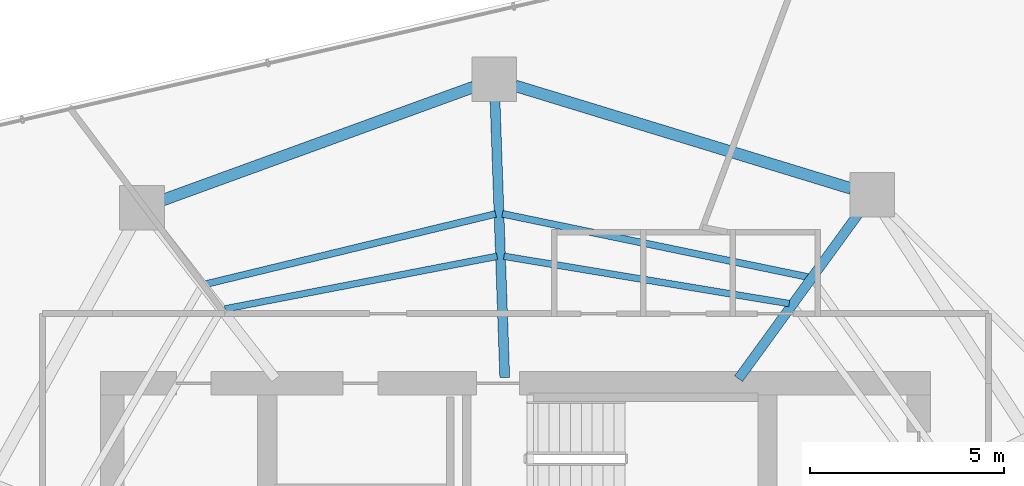
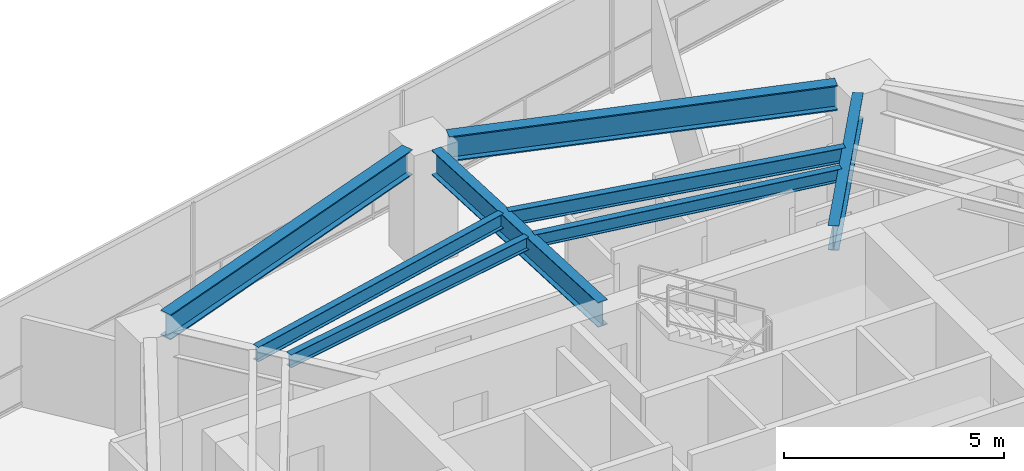
# One storey, part 12 of 23: 8 beams.
"""IFC4 building model written with IfcOpenShell, lengths in metres."""

from ifc_helpers import new_model, si_unit, direction, frame, origin, origin_2d, place, context, subcontext, project, spatial, i_section, extrude, material, material_profile, profile_set, type_object, element, save


model = new_model("IFC4")

# Units and contexts
model_context = context("Model", 3, precision=1e-05, world=origin(), true_north=direction((0.0, 1.0)))
body_context = subcontext(model_context, "Body", "Model", "MODEL_VIEW")
ifc_project = project(units=[si_unit("LENGTHUNIT", "METRE"), si_unit("AREAUNIT", "SQUARE_METRE"), si_unit("VOLUMEUNIT", "CUBIC_METRE"), si_unit("PLANEANGLEUNIT", "RADIAN"), si_unit("MASSUNIT", "GRAM", prefix="KILO")], contexts=[model_context])

# Site, building, storey
site_placement = place(None, origin())
site = spatial("IfcSite", under=ifc_project, at=site_placement, CompositionType="ELEMENT")
building_placement = place(site_placement, origin())
building = spatial("IfcBuilding", under=site, at=building_placement, Name="Qarnah Convention Tower", CompositionType="ELEMENT")
storey_placement = place(building_placement, frame((0.0, 0.0, 114.300048828125)))
storey = spatial("IfcBuildingStorey", under=building, at=storey_placement, Name="L30", CompositionType="ELEMENT", Elevation=114.300048828125)

# Beams
ifc_material = material(Name="Structural steel S355JR", Category="steel")
ifc_material_profile_1 = material_profile(ifc_material, i_section(OverallWidth=0.172119140625, OverallDepth=0.35595703125, WebThickness=0.007080078125, FlangeThickness=0.011962890625, at=origin_2d()), Name="W360X51")
ifc_profile_set_1 = profile_set([ifc_material_profile_1], Name="Structural steel S355JR")
beam_type_1 = type_object("IfcBeamType", Name="BM-JST-W360", PredefinedType="JOIST", material=ifc_profile_set_1)
beam_1_placement = place(storey_placement, frame((44.260986328125, 36.257080078125, 2.991943359375), z_axis=(-0.986513960493, 0.163677138757, 0.0), x_axis=(-0.163677138757, -0.986513960493, 0.0)))
element("IfcBeam", 1, at=beam_1_placement, inside=storey, type_object=beam_type_1, Name="L30 joist BM-L30-IJST-02", PredefinedType="JOIST", context=body_context, shape_type="SweptSolid", body=[
    extrude(i_section(OverallWidth=0.172119140625, OverallDepth=0.35595703125, WebThickness=0.007080078125, FlangeThickness=0.011962890625, at=origin_2d()), origin(), (0.0, 0.0, 1.0), 7.45947265625),
])
beam_2_placement = place(storey_placement, frame((36.72509765625, 37.47607421875, 2.991943359375), z_axis=(-0.981841874694, -0.189701167886, 0.0), x_axis=(0.189701167886, -0.981841874694, 0.0)))
element("IfcBeam", 2, at=beam_2_placement, inside=storey, type_object=beam_type_1, Name="L30 joist BM-L30-IJST-03", PredefinedType="JOIST", context=body_context, shape_type="SweptSolid", body=[
    extrude(i_section(OverallWidth=0.172119140625, OverallDepth=0.35595703125, WebThickness=0.007080078125, FlangeThickness=0.011962890625, at=origin_2d()), origin(), (0.0, 0.0, 1.0), 7.14794921875),
])
ifc_material_profile_2 = material_profile(ifc_material, i_section(OverallWidth=0.177978515625, OverallDepth=0.407958984375, WebThickness=0.008056640625, FlangeThickness=0.012939453125, at=origin_2d()), Name="W410X60")
ifc_profile_set_2 = profile_set([ifc_material_profile_2], Name="Structural steel S355JR")
beam_type_2 = type_object("IfcBeamType", Name="BM-JST-W410", PredefinedType="JOIST", material=ifc_profile_set_2)
beam_3_placement = place(storey_placement, frame((44.757080078125, 36.93994140625, 2.966064453125), z_axis=(-0.979289211304, 0.202466393814, 0.0), x_axis=(-0.202466393814, -0.979289211304, 0.0)))
element("IfcBeam", 3, at=beam_3_placement, inside=storey, type_object=beam_type_2, Name="L30 joist BM-L30-SJST-02", PredefinedType="JOIST", context=body_context, shape_type="SweptSolid", body=[
    extrude(i_section(OverallWidth=0.177978515625, OverallDepth=0.407958984375, WebThickness=0.008056640625, FlangeThickness=0.012939453125, at=origin_2d()), origin(), (0.0, 0.0, 1.0), 8.06103515625),
])
beam_4_placement = place(storey_placement, frame((36.68798828125, 38.569091796875, 2.966064453125), z_axis=(-0.971933267781, -0.235256717183, 0.0), x_axis=(0.235256717183, -0.971933267781, 0.0)))
element("IfcBeam", 4, at=beam_4_placement, inside=storey, type_object=beam_type_2, Name="L30 joist BM-L30-SJST-03", PredefinedType="JOIST", context=body_context, shape_type="SweptSolid", body=[
    extrude(i_section(OverallWidth=0.177978515625, OverallDepth=0.407958984375, WebThickness=0.008056640625, FlangeThickness=0.012939453125, at=origin_2d()), origin(), (0.0, 0.0, 1.0), 7.694091796875),
])
ifc_material_profile_3 = material_profile(ifc_material, i_section(OverallWidth=0.25390625, OverallDepth=0.68798828125, WebThickness=0.012939453125, FlangeThickness=0.02099609375, at=origin_2d()), Name="W690X152")
ifc_profile_set_3 = profile_set([ifc_material_profile_3], Name="Structural steel S355JR")
beam_type_3 = type_object("IfcBeamType", Name="BM-RAD-W690", PredefinedType="BEAM", material=ifc_profile_set_3)
beam_5_placement = place(storey_placement, frame((42.955078125, 34.321044921875, 2.825927734375), z_axis=(0.587824069471, 0.808988790621, 0.0), x_axis=(-0.808988790621, 0.587824069471, 0.0)))
element("IfcBeam", 5, at=beam_5_placement, inside=storey, type_object=beam_type_3, Name="L30 beam BM-L30-RAD-02", PredefinedType="BEAM", context=body_context, shape_type="SweptSolid", body=[
    extrude(i_section(OverallWidth=0.25390625, OverallDepth=0.68798828125, WebThickness=0.012939453125, FlangeThickness=0.02099609375, at=origin_2d()), origin(), (0.0, 0.0, 1.0), 5.30419921875),
])
beam_6_placement = place(storey_placement, frame((36.923095703125, 34.35009765625, 2.825927734375), z_axis=(-0.035017005912, 0.99938671659, 0.0), x_axis=(-0.99938671659, -0.035017005912, 0.0)))
element("IfcBeam", 6, at=beam_6_placement, inside=storey, type_object=beam_type_3, Name="L30 beam BM-L30-RAD-03", PredefinedType="BEAM", context=body_context, shape_type="SweptSolid", body=[
    extrude(i_section(OverallWidth=0.25390625, OverallDepth=0.68798828125, WebThickness=0.012939453125, FlangeThickness=0.02099609375, at=origin_2d()), origin(), (0.0, 0.0, 1.0), 7.139404296875),
])
ifc_material_profile_4 = material_profile(ifc_material, i_section(OverallWidth=0.300048828125, OverallDepth=0.699951171875, WebThickness=0.01708984375, FlangeThickness=0.031982421875, at=origin_2d()), Name="HEB700")
ifc_profile_set_4 = profile_set([ifc_material_profile_4], Name="Structural steel S355JR")
beam_type_4 = type_object("IfcBeamType", Name="BM-RING-HEB700", PredefinedType="BEAM", material=ifc_profile_set_4)
beam_7_placement = place(storey_placement, frame((45.85888671875, 39.22607421875, 2.820068359375), z_axis=(-0.956309936148, 0.292354760565, 0.0), x_axis=(-0.292354760565, -0.956309936148, 0.0)))
element("IfcBeam", 7, at=beam_7_placement, inside=storey, type_object=beam_type_4, Name="L30 beam BM-L30-SPN-02", PredefinedType="BEAM", context=body_context, shape_type="SweptSolid", body=[
    extrude(i_section(OverallWidth=0.300048828125, OverallDepth=0.699951171875, WebThickness=0.01708984375, FlangeThickness=0.031982421875, at=origin_2d()), origin(), (0.0, 0.0, 1.0), 9.060546875),
])
beam_8_placement = place(storey_placement, frame((36.123046875, 41.846923828125, 2.820068359375), z_axis=(-0.939683226771, -0.342045952067, 0.0), x_axis=(0.342045952067, -0.939683226771, 0.0)))
element("IfcBeam", 8, at=beam_8_placement, inside=storey, type_object=beam_type_4, Name="L30 beam BM-L30-SPN-03", PredefinedType="BEAM", context=body_context, shape_type="SweptSolid", body=[
    extrude(i_section(OverallWidth=0.300048828125, OverallDepth=0.699951171875, WebThickness=0.01708984375, FlangeThickness=0.031982421875, at=origin_2d()), origin(), (0.0, 0.0, 1.0), 8.542236328125),
])

save(model, "model.ifc")
